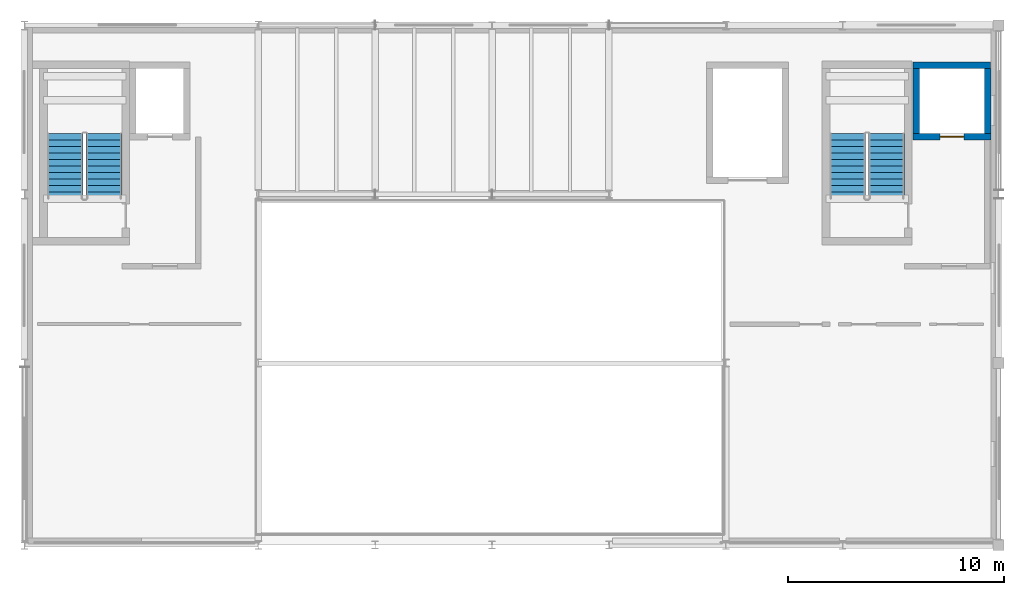
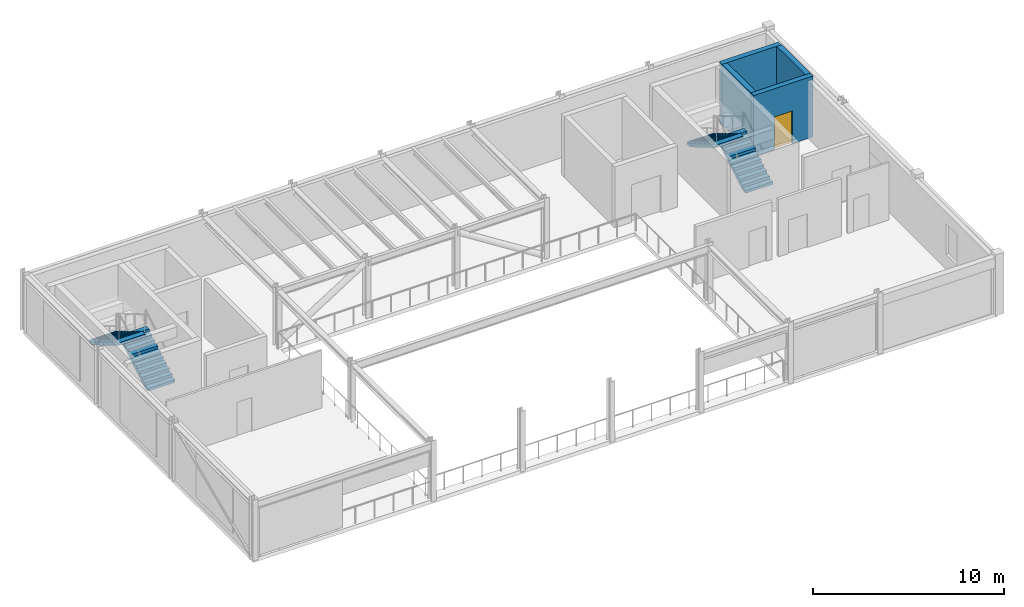
# One storey, part 8 of 12: 4 stair flights, 4 walls, 1 door, 1 opening, 2 elements without a shape of their own.
"""IFC4 building model written with IfcOpenShell, lengths in metres."""

from ifc_helpers import new_model, si_unit, direction, frame, frame_2d, origin, place, context, subcontext, project, spatial, polyline, rectangle, outline, extrude, material, layer, layer_set, type_object, element, fill, aggregate, save


model = new_model("IFC4")

# Units and contexts
model_context = context("Model", 3, precision=1e-05, world=origin(), true_north=direction((0.0, 1.0)))
body_context = subcontext(model_context, "Body", "Model", "MODEL_VIEW")
ifc_project = project(units=[si_unit("LENGTHUNIT", "METRE"), si_unit("AREAUNIT", "SQUARE_METRE"), si_unit("VOLUMEUNIT", "CUBIC_METRE"), si_unit("PLANEANGLEUNIT", "RADIAN"), si_unit("MASSUNIT", "GRAM", prefix="KILO")], contexts=[model_context])

# Site, building, storey
site_placement = place(None, origin())
site = spatial("IfcSite", under=ifc_project, at=site_placement, CompositionType="ELEMENT")
building_placement = place(site_placement, origin())
building = spatial("IfcBuilding", under=site, at=building_placement, Name="Tazoul Stagehouse", CompositionType="ELEMENT")
storey_placement = place(building_placement, frame((0.0, 0.0, 17.10009765625)))
storey = spatial("IfcBuildingStorey", under=building, at=storey_placement, Name="L04", CompositionType="ELEMENT", Elevation=17.10009765625)

# Wall, opening, door
ifc_material_1 = material(Name="Concrete C40/50", Category="concrete")
ifc_layer = layer(ifc_material_1, 0.300048828125, Name="Concrete C40/50")
ifc_layer_set = layer_set([ifc_layer], Name="Concrete C40/50")
wall_type = type_object("IfcWallType", Name="Lift Shaft Wall 300", PredefinedType="SOLIDWALL", material=ifc_layer_set)
wall_1_placement = place(storey_placement, frame((102.25, 106.64990234375, 0.0), z_axis=(0.0, 0.0, 1.0), x_axis=(-1.0, 0.0, 0.0)))
wall_1 = element("IfcWall", 1, at=wall_1_placement, inside=storey, type_object=wall_type, Name="L04 Core Wall CW-300 (LSHF-FFL-01-south)", PredefinedType="SOLIDWALL", context=body_context, shape_type="SweptSolid", body=[
    extrude(rectangle(XDim=3.60009765625, YDim=0.300048828125, at=frame_2d((1.800048828125, 0.0))), origin(), (0.0, 0.0, 1.0), 3.89990234375),
])
opening_placement = place(wall_1_placement, frame((1.25, 0.0, 0.0)))
opening = element("IfcOpeningElement", 2, at=opening_placement, cuts=wall_1, Name="Opening LD-01", PredefinedType="OPENING", context=body_context, shape_type="SweptSolid", body=[
    extrude(rectangle(XDim=1.10009765625, YDim=2.10009765625, at=frame_2d((0.550048828125, 1.050048828125))), frame((0.0, 0.169921875, 0.0), z_axis=(0.0, -1.0, 0.0), x_axis=(1.0, 0.0, 0.0)), (0.0, 0.0, 1.0), 0.340087890625),
])
ifc_material_2 = material(Name="Powder-Coated Galvanised Acoustic Steel", Category="steel")
door_type = type_object("IfcDoorType", Name="Firefighter Lift Sliding Landing Door 1100x2100", OperationType="DOUBLE_DOOR_SLIDING", PredefinedType="DOOR", material=ifc_material_2)
door_placement = place(opening_placement, origin())
door = element("IfcDoor", 3, at=door_placement, inside=storey, type_object=door_type, Name="L04 Lift Landing Sliding Door LD-01 (FFL-01)", OperationType="DOUBLE_DOOR_SLIDING", OverallHeight=2.10009765625, OverallWidth=1.10009765625, PredefinedType="DOOR", context=body_context, shape_type="SweptSolid", body=[
    extrude(rectangle(XDim=1.10009765625, YDim=2.10009765625, at=frame_2d((0.550048828125, 1.050048828125))), frame((0.0, 0.02490234375, 0.0), z_axis=(0.0, -1.0, 0.0), x_axis=(1.0, 0.0, 0.0)), (0.0, 0.0, 1.0), 0.050048828125),
])
fill(opening, door)

# Walls
wall_2_placement = place(storey_placement, frame((98.800048828125, 106.800048828125, 0.0), z_axis=(0.0, 0.0, 1.0), x_axis=(0.0, 1.0, 0.0)))
element("IfcWall", 4, at=wall_2_placement, inside=storey, type_object=wall_type, Name="L04 Core Wall CW-300 (LSHF-FFL-01-west)", PredefinedType="SOLIDWALL", context=body_context, shape_type="SweptSolid", body=[
    extrude(rectangle(XDim=3.0, YDim=0.300048828125, at=frame_2d((1.5, 0.0))), origin(), (0.0, 0.0, 1.0), 3.89990234375),
])
wall_3_placement = place(storey_placement, frame((98.64990234375, 109.949951171875, 0.0), z_axis=(0.0, 0.0, 1.0), x_axis=(1.0, 0.0, 0.0)))
element("IfcWall", 5, at=wall_3_placement, inside=storey, type_object=wall_type, Name="L04 Core Wall CW-300 (LSHF-FFL-01-north)", PredefinedType="SOLIDWALL", context=body_context, shape_type="SweptSolid", body=[
    extrude(rectangle(XDim=3.570068359375, YDim=0.300048828125, at=frame_2d((1.78515625, 0.0))), origin(), (0.0, 0.0, 1.0), 3.89990234375),
])
wall_4_placement = place(storey_placement, frame((102.10009765625, 109.800048828125, 0.0), z_axis=(0.0, 0.0, 1.0), x_axis=(0.0, -1.0, 0.0)))
element("IfcWall", 6, at=wall_4_placement, inside=storey, type_object=wall_type, Name="L04 Core Wall CW-300 (LSHF-FFL-01-east)", PredefinedType="SOLIDWALL", context=body_context, shape_type="SweptSolid", body=[
    extrude(rectangle(XDim=3.0, YDim=0.300048828125, at=frame_2d((1.5, 0.0))), origin(), (0.0, 0.0, 1.0), 3.89990234375),
])

# Stair, stair flights
stair_type_1 = type_object("IfcStairType", Name="Protected Core Dogleg Stair 4800", PredefinedType="HALF_TURN_STAIR", material=ifc_material_1)
stair_1_placement = place(storey_placement, origin())
stair_1 = element("IfcStair", 7, at=stair_1_placement, inside=storey, type_object=stair_type_1, Name="L04 Core Escape Stair ST-01", PredefinedType="HALF_TURN_STAIR")
stair_flight_type = type_object("IfcStairFlightType", Name="Core Stair Flight W1650", PredefinedType="STRAIGHT", material=ifc_material_1)
stair_flight_1_placement = place(storey_placement, frame((97.425048828125, 103.800048828125, 0.0), z_axis=(0.0, 0.0, 1.0), x_axis=(0.0, 1.0, 0.0)))
stair_flight_1 = element("IfcStairFlight", 8, at=stair_flight_1_placement, type_object=stair_flight_type, Name="ST-01 flight 1", NumberOfRisers=11, NumberOfTreads=10, PredefinedType="STRAIGHT", RiserHeight=0.177272727, TreadLength=0.3, context=body_context, shape_type="SweptSolid", body=[
    extrude(outline(polyline([(0.0, 0.0), (0.0, 0.17724609375), (0.300048828125, 0.17724609375), (0.300048828125, 0.3544921875), (0.60009765625, 0.3544921875), (0.60009765625, 0.53173828125), (0.89990234375, 0.53173828125), (0.89990234375, 0.708984375), (1.199951171875, 0.708984375), (1.199951171875, 0.886474609375), (1.5, 0.886474609375), (1.5, 1.063720703125), (1.800048828125, 1.063720703125), (1.800048828125, 1.240966796875), (2.10009765625, 1.240966796875), (2.10009765625, 1.418212890625), (2.39990234375, 1.418212890625), (2.39990234375, 1.595458984375), (2.699951171875, 1.595458984375), (2.699951171875, 1.772705078125), (3.0, 1.772705078125), (3.0, 1.949951171875), (3.0, 1.5986328125), (0.294677734375, 0.0), (0.0, 0.0)])), frame((0.0, 0.824951171875, 0.0), z_axis=(0.0, -1.0, 0.0), x_axis=(1.0, 0.0, 0.0)), (0.0, 0.0, 1.0), 1.64990234375),
])
stair_flight_2_placement = place(storey_placement, frame((95.625, 106.800048828125, 1.949951171875), z_axis=(0.0, 0.0, 1.0), x_axis=(0.0, -1.0, 0.0)))
stair_flight_2 = element("IfcStairFlight", 9, at=stair_flight_2_placement, type_object=stair_flight_type, Name="ST-01 flight 2", NumberOfRisers=11, NumberOfTreads=10, PredefinedType="STRAIGHT", RiserHeight=0.177272727, TreadLength=0.3, context=body_context, shape_type="SweptSolid", body=[
    extrude(outline(polyline([(0.0, 0.0), (0.0, 0.17724609375), (0.300048828125, 0.17724609375), (0.300048828125, 0.3544921875), (0.60009765625, 0.3544921875), (0.60009765625, 0.53173828125), (0.89990234375, 0.53173828125), (0.89990234375, 0.708984375), (1.199951171875, 0.708984375), (1.199951171875, 0.886474609375), (1.5, 0.886474609375), (1.5, 1.063720703125), (1.800048828125, 1.063720703125), (1.800048828125, 1.240966796875), (2.10009765625, 1.240966796875), (2.10009765625, 1.418212890625), (2.39990234375, 1.418212890625), (2.39990234375, 1.595458984375), (2.699951171875, 1.595458984375), (2.699951171875, 1.772705078125), (3.0, 1.772705078125), (3.0, 1.949951171875), (3.0, 1.5986328125), (0.294677734375, 0.0), (0.0, 0.0)])), frame((0.0, 0.824951171875, 0.0), z_axis=(0.0, -1.0, 0.0), x_axis=(1.0, 0.0, 0.0)), (0.0, 0.0, 1.0), 1.64990234375),
])
aggregate(stair_1, [stair_flight_1, stair_flight_2])

stair_type_2 = type_object("IfcStairType", Name="Protected Core Dogleg Stair 3900", PredefinedType="HALF_TURN_STAIR", material=ifc_material_1)
stair_2_placement = place(storey_placement, origin())
stair_2 = element("IfcStair", 10, at=stair_2_placement, inside=storey, type_object=stair_type_2, Name="L04 Core Escape Stair ST-03", PredefinedType="HALF_TURN_STAIR")
stair_flight_3_placement = place(storey_placement, frame((61.27490234375, 103.800048828125, 0.0), z_axis=(0.0, 0.0, 1.0), x_axis=(0.0, 1.0, 0.0)))
stair_flight_3 = element("IfcStairFlight", 11, at=stair_flight_3_placement, type_object=stair_flight_type, Name="ST-03 flight 1", NumberOfRisers=11, NumberOfTreads=10, PredefinedType="STRAIGHT", RiserHeight=0.177272727, TreadLength=0.3, context=body_context, shape_type="SweptSolid", body=[
    extrude(outline(polyline([(0.0, 0.0), (0.0, 0.17724609375), (0.300048828125, 0.17724609375), (0.300048828125, 0.3544921875), (0.60009765625, 0.3544921875), (0.60009765625, 0.53173828125), (0.89990234375, 0.53173828125), (0.89990234375, 0.708984375), (1.199951171875, 0.708984375), (1.199951171875, 0.886474609375), (1.5, 0.886474609375), (1.5, 1.063720703125), (1.800048828125, 1.063720703125), (1.800048828125, 1.240966796875), (2.10009765625, 1.240966796875), (2.10009765625, 1.418212890625), (2.39990234375, 1.418212890625), (2.39990234375, 1.595458984375), (2.699951171875, 1.595458984375), (2.699951171875, 1.772705078125), (3.0, 1.772705078125), (3.0, 1.949951171875), (3.0, 1.5986328125), (0.294677734375, 0.0), (0.0, 0.0)])), frame((0.0, 0.824951171875, 0.0), z_axis=(0.0, -1.0, 0.0), x_axis=(1.0, 0.0, 0.0)), (0.0, 0.0, 1.0), 1.64990234375),
])
stair_flight_4_placement = place(storey_placement, frame((59.47509765625, 106.800048828125, 1.949951171875), z_axis=(0.0, 0.0, 1.0), x_axis=(0.0, -1.0, 0.0)))
stair_flight_4 = element("IfcStairFlight", 12, at=stair_flight_4_placement, type_object=stair_flight_type, Name="ST-03 flight 2", NumberOfRisers=11, NumberOfTreads=10, PredefinedType="STRAIGHT", RiserHeight=0.177272727, TreadLength=0.3, context=body_context, shape_type="SweptSolid", body=[
    extrude(outline(polyline([(0.0, 0.0), (0.0, 0.17724609375), (0.300048828125, 0.17724609375), (0.300048828125, 0.3544921875), (0.60009765625, 0.3544921875), (0.60009765625, 0.53173828125), (0.89990234375, 0.53173828125), (0.89990234375, 0.708984375), (1.199951171875, 0.708984375), (1.199951171875, 0.886474609375), (1.5, 0.886474609375), (1.5, 1.063720703125), (1.800048828125, 1.063720703125), (1.800048828125, 1.240966796875), (2.10009765625, 1.240966796875), (2.10009765625, 1.418212890625), (2.39990234375, 1.418212890625), (2.39990234375, 1.595458984375), (2.699951171875, 1.595458984375), (2.699951171875, 1.772705078125), (3.0, 1.772705078125), (3.0, 1.949951171875), (3.0, 1.5986328125), (0.294677734375, 0.0), (0.0, 0.0)])), frame((0.0, 0.824951171875, 0.0), z_axis=(0.0, -1.0, 0.0), x_axis=(1.0, 0.0, 0.0)), (0.0, 0.0, 1.0), 1.64990234375),
])
aggregate(stair_2, [stair_flight_3, stair_flight_4])

save(model, "model.ifc")
